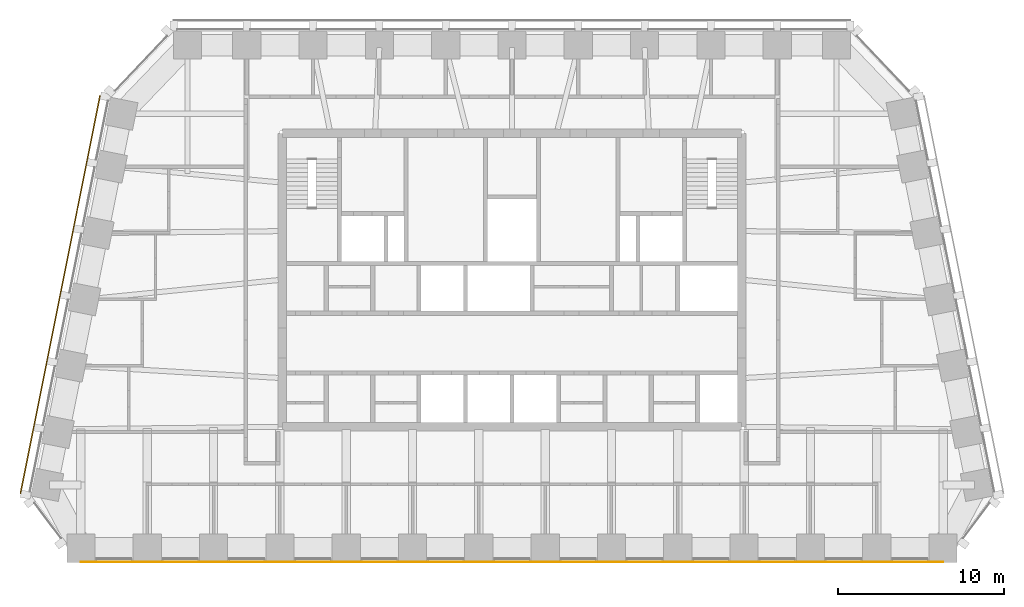
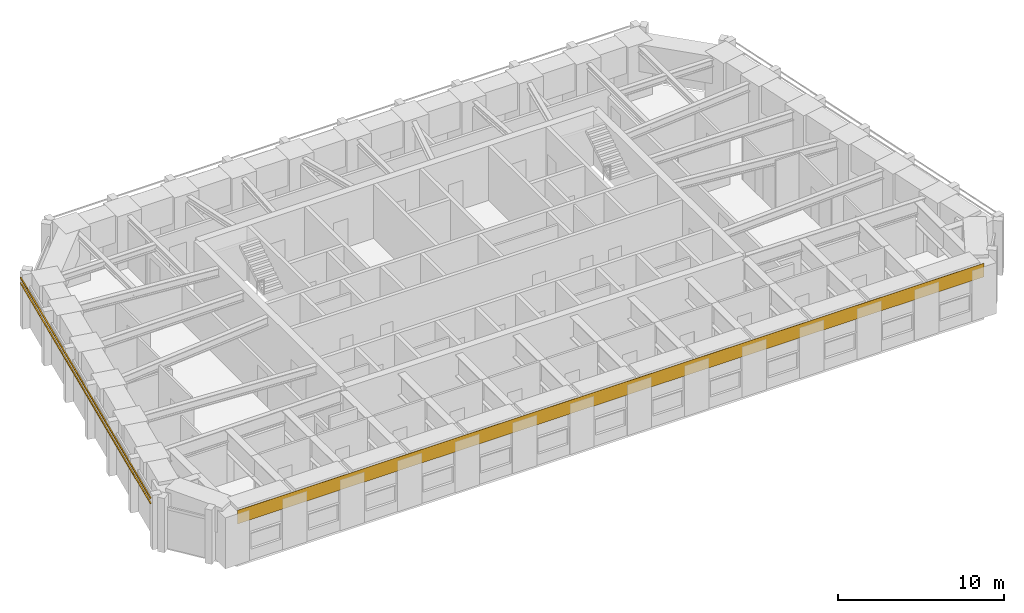
# One storey, part 10 of 12: 2 shading devices, 1 covering.
"""IFC4 building model written with IfcOpenShell, lengths in metres."""

from ifc_helpers import new_model, si_unit, direction, frame, origin, origin_2d, place, context, subcontext, project, spatial, rectangle, extrude, material, layer, layer_set, material_profile, profile_set, type_object, element, save


model = new_model("IFC4")

# Units and contexts
model_context = context("Model", 3, precision=1e-05, world=origin(), true_north=direction((0.0, 1.0)))
body_context = subcontext(model_context, "Body", "Model", "MODEL_VIEW")
ifc_project = project(units=[si_unit("LENGTHUNIT", "METRE"), si_unit("AREAUNIT", "SQUARE_METRE"), si_unit("VOLUMEUNIT", "CUBIC_METRE"), si_unit("PLANEANGLEUNIT", "RADIAN"), si_unit("MASSUNIT", "GRAM", prefix="KILO")], contexts=[model_context])

# Site, building, storey
site_placement = place(None, origin())
site = spatial("IfcSite", under=ifc_project, at=site_placement, CompositionType="ELEMENT")
building_placement = place(site_placement, origin())
building = spatial("IfcBuilding", under=site, at=building_placement, Name="Isbrekke Arena Tower", CompositionType="ELEMENT")
storey_placement = place(building_placement, frame((0.0, 0.0, 304.0)))
storey = spatial("IfcBuildingStorey", under=building, at=storey_placement, Name="L71", CompositionType="ELEMENT", Elevation=304.0)

# Shading devices
ifc_material_1 = material(Name="Terracotta", Category="masonry")
ifc_material_profile = material_profile(ifc_material_1, rectangle(XDim=0.06005859375, YDim=0.06005859375, at=origin_2d()), Name="BAGUETTE 60X60")
ifc_profile_set = profile_set([ifc_material_profile], Name="Terracotta")
shading_device_type = type_object("IfcShadingDeviceType", Name="BG1 TERRACOTTA BAGUETTE 60 x 60", PredefinedType="USERDEFINED", material=ifc_profile_set)
for number, where, z_axis, x_axis, name in (
    (1, (-24.84228515625, 26.12841796875, 3.280029296875), (-0.196118053403, -0.980580292036, 0.0), (0.980580292036, -0.196118053403, 0.0), "BG1 terracotta baguette W1 L71"),
    (2, (-24.84228515625, 26.12841796875, 3.679931640625), (-0.196118053403, -0.980580292036, 0.0), (0.980580292036, -0.196118053403, 0.0), "BG1 terracotta baguette W2 L71"),
):
    element("IfcShadingDevice", number, at=place(storey_placement, frame(where, z_axis=z_axis, x_axis=x_axis)), inside=storey, type_object=shading_device_type, Name=name, ObjectType="TERRACOTTA BAGUETTE", PredefinedType="USERDEFINED", context=body_context, shape_type="SweptSolid", body=[
        extrude(rectangle(XDim=0.06005859375, YDim=0.06005859375, at=origin_2d()), origin(), (0.0, 0.0, 1.0), 24.475341796875),
    ])

# Covering
ifc_material_2 = material(Name="Pre-patinated copper sheet", Category="metal")
ifc_layer = layer(ifc_material_2, 0.02001953125)
ifc_layer_set = layer_set([ifc_layer], Name="CL1 COPPER CLADDING")
covering_type = type_object("IfcCoveringType", Name="CL1 COPPER CLADDING", PredefinedType="CLADDING", material=ifc_layer_set)
covering_placement = place(storey_placement, frame((0.0, -2.010009765625, 3.0), z_axis=(0.0, 0.0, 1.0), x_axis=(1.0, 0.0, 0.0)))
element("IfcCovering", 3, at=covering_placement, inside=storey, type_object=covering_type, Name="CL1 copper cladding L71", PredefinedType="CLADDING", context=body_context, shape_type="SweptSolid", body=[
    extrude(rectangle(XDim=52.0, YDim=0.02001953125, at=origin_2d()), origin(), (0.0, 0.0, 1.0), 1.0),
])

save(model, "model.ifc")
